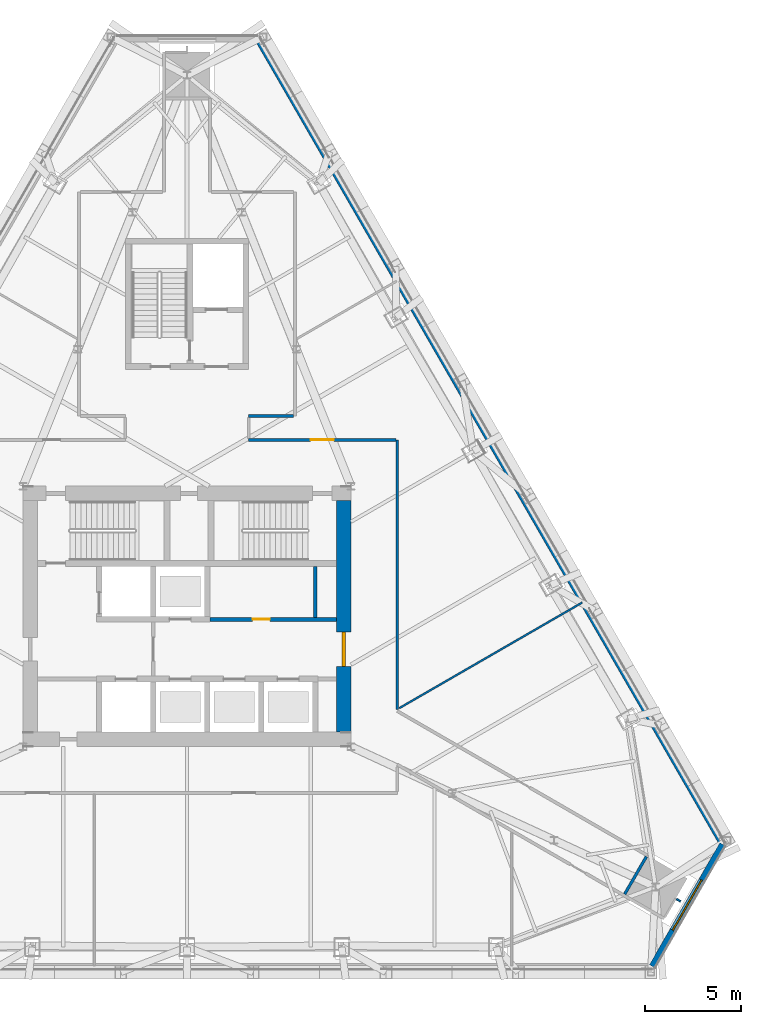
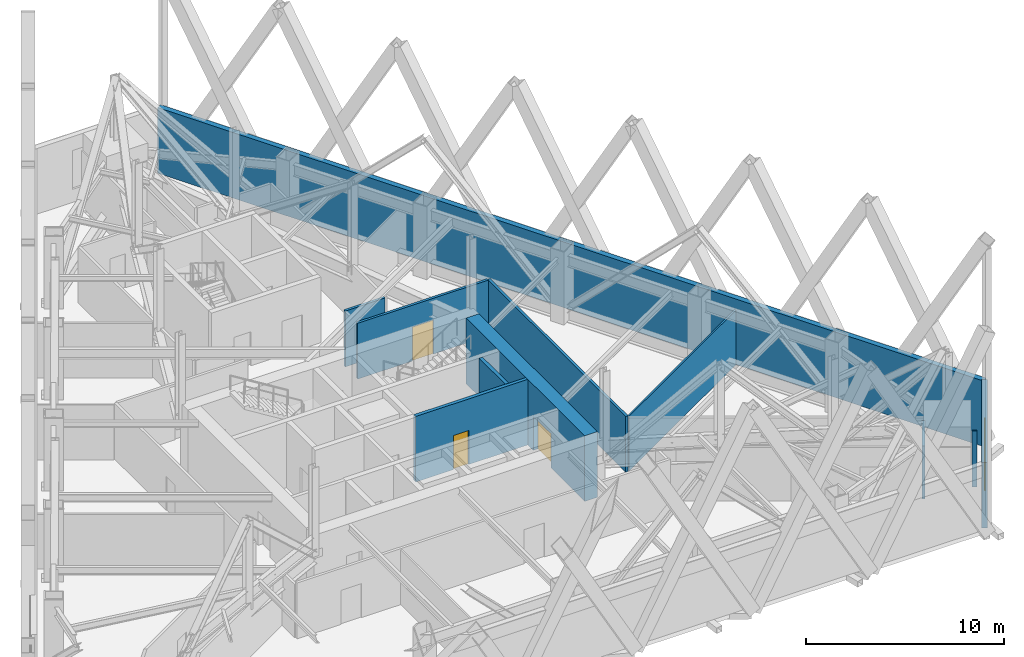
# One storey, part 9 of 16: 11 walls, 3 doors, 1 window, 4 openings.
"""IFC4 building model written with IfcOpenShell, lengths in metres."""

from ifc_helpers import new_model, si_unit, direction, frame, frame_2d, origin, place, context, subcontext, project, spatial, rectangle, extrude, material, layer, layer_set, type_object, element, fill, save


model = new_model("IFC4")

# Units and contexts
model_context = context("Model", 3, precision=1e-05, world=origin(), true_north=direction((0.0, 1.0)))
body_context = subcontext(model_context, "Body", "Model", "MODEL_VIEW")
ifc_project = project(units=[si_unit("LENGTHUNIT", "METRE"), si_unit("AREAUNIT", "SQUARE_METRE"), si_unit("VOLUMEUNIT", "CUBIC_METRE"), si_unit("PLANEANGLEUNIT", "RADIAN"), si_unit("MASSUNIT", "GRAM", prefix="KILO")], contexts=[model_context])

# Site, building, storey
site_placement = place(None, origin())
site = spatial("IfcSite", under=ifc_project, at=site_placement, CompositionType="ELEMENT")
building_placement = place(site_placement, origin())
building = spatial("IfcBuilding", under=site, at=building_placement, Name="Firuza Gate Tower and Library", CompositionType="ELEMENT")
storey_placement = place(building_placement, frame((0.0, 0.0, 247.60009765625)))
storey = spatial("IfcBuildingStorey", under=building, at=storey_placement, Name="L58", CompositionType="ELEMENT", Elevation=247.60009765625)

# Wall, opening, door
ifc_material_1 = material(Name="Plasterboard on steel studs", Category="steel")
ifc_layer_1 = layer(ifc_material_1, 0.199951171875)
ifc_layer_set_1 = layer_set([ifc_layer_1], Name="Core partition 200 EI 120")
wall_type_1 = type_object("IfcWallType", Name="Core partition 200 EI 120", PredefinedType="PARTITIONING", material=ifc_layer_set_1)
wall_1_placement = place(storey_placement, frame((76.199951171875, 74.85009765625, 0.0), z_axis=(0.0, 0.0, 1.0), x_axis=(1.0, 0.0, 0.0)))
wall_1 = element("IfcWall", 1, at=wall_1_placement, inside=storey, type_object=wall_type_1, Name="Core partition L58 3", PredefinedType="PARTITIONING", context=body_context, shape_type="SweptSolid", body=[
    extrude(rectangle(XDim=6.550048828125, YDim=0.199951171875, at=frame_2d((3.27490234375, 0.0))), origin(), (0.0, 0.0, 1.0), 4.0498046875),
])
opening_1_placement = place(wall_1_placement, frame((2.199951171875, 0.0, 0.0)))
opening_1 = element("IfcOpeningElement", 2, at=opening_1_placement, cuts=wall_1, Name="Opening L58-K18", PredefinedType="OPENING", context=body_context, shape_type="SweptSolid", body=[
    extrude(rectangle(XDim=0.89990234375, YDim=2.10009765625, at=frame_2d((0.449951171875, 1.050048828125))), frame((0.0, 0.10986328125, 0.0), z_axis=(0.0, -1.0, 0.0), x_axis=(1.0, 0.0, 0.0)), (0.0, 0.0, 1.0), 0.219970703125),
])
ifc_material_2 = material(Name="Steel", Category="steel")
door_type_1 = type_object("IfcDoorType", Name="Fire door 900x2100 FD30S", OperationType="NOTDEFINED", PredefinedType="DOOR", material=ifc_material_2)
door_1_placement = place(opening_1_placement, origin())
door_1 = element("IfcDoor", 3, at=door_1_placement, inside=storey, type_object=door_type_1, Name="Door L58-K18", OperationType="SINGLE_SWING_LEFT", OverallHeight=2.10009765625, OverallWidth=0.89990234375, PredefinedType="DOOR", context=body_context, shape_type="SweptSolid", body=[
    extrude(rectangle(XDim=0.89990234375, YDim=2.10009765625, at=frame_2d((0.449951171875, 1.050048828125))), frame((0.0, 0.02490234375, 0.0), z_axis=(0.0, -1.0, 0.0), x_axis=(1.0, 0.0, 0.0)), (0.0, 0.0, 1.0), 0.050048828125),
])
fill(opening_1, door_1)

# Wall
wall_2_placement = place(storey_placement, frame((81.64990234375, 74.949951171875, 0.0), z_axis=(0.0, 0.0, 1.0), x_axis=(0.0, 1.0, 0.0)))
element("IfcWall", 4, at=wall_2_placement, inside=storey, type_object=wall_type_1, Name="Core partition L58 5", PredefinedType="PARTITIONING", context=body_context, shape_type="SweptSolid", body=[
    extrude(rectangle(XDim=2.650146484375, YDim=0.199951171875, at=frame_2d((1.3251953125, 0.0))), origin(), (0.0, 0.0, 1.0), 4.0498046875),
])

# Wall, opening, door
ifc_material_3 = material(Name="Concrete C60/75", Category="concrete")
ifc_layer_2 = layer(ifc_material_3, 0.75)
ifc_layer_set_2 = layer_set([ifc_layer_2], Name="Core wall 750 C60/75")
wall_type_2 = type_object("IfcWallType", Name="Core wall 750 C60/75", PredefinedType="SHEAR", material=ifc_layer_set_2)
wall_3_placement = place(storey_placement, frame((83.125, 69.0, 0.0), z_axis=(0.0, 0.0, 1.0), x_axis=(0.0, 1.0, 0.0)))
wall_3 = element("IfcWall", 5, at=wall_3_placement, inside=storey, type_object=wall_type_2, Name="Core wall L58 4", PredefinedType="SHEAR", context=body_context, shape_type="SweptSolid", body=[
    extrude(rectangle(XDim=12.0, YDim=0.75, at=frame_2d((6.0, 0.0))), origin(), (0.0, 0.0, 1.0), 4.0498046875),
])
opening_2_placement = place(wall_3_placement, frame((3.39990234375, 0.0, 0.0)))
opening_2 = element("IfcOpeningElement", 6, at=opening_2_placement, cuts=wall_3, Name="Opening L58-K16", PredefinedType="OPENING", context=body_context, shape_type="SweptSolid", body=[
    extrude(rectangle(XDim=1.800048828125, YDim=2.10009765625, at=frame_2d((0.89990234375, 1.050048828125))), frame((0.0, 0.385009765625, 0.0), z_axis=(0.0, -1.0, 0.0), x_axis=(1.0, 0.0, 0.0)), (0.0, 0.0, 1.0), 0.77001953125),
])
ifc_material_4 = material(Name="Steel", Category="steel")
door_type_2 = type_object("IfcDoorType", Name="Fire door 1800x2100 FD30S", OperationType="NOTDEFINED", PredefinedType="DOOR", material=ifc_material_4)
door_2_placement = place(opening_2_placement, origin())
door_2 = element("IfcDoor", 7, at=door_2_placement, inside=storey, type_object=door_type_2, Name="Door L58-K16", OperationType="SINGLE_SWING_LEFT", OverallHeight=2.10009765625, OverallWidth=1.800048828125, PredefinedType="DOOR", context=body_context, shape_type="SweptSolid", body=[
    extrude(rectangle(XDim=1.800048828125, YDim=2.10009765625, at=frame_2d((0.89990234375, 1.050048828125))), frame((0.0, 0.094970703125, 0.0), z_axis=(0.0, -1.0, 0.0), x_axis=(1.0, 0.0, 0.0)), (0.0, 0.0, 1.0), 0.18994140625),
])
fill(opening_2, door_2)

ifc_material_5 = material(Name="Gypsum board partition")
ifc_layer_3 = layer(ifc_material_5, 0.14990234375)
ifc_layer_set_3 = layer_set([ifc_layer_3], Name="Corridor wall 150 double board on steel studs")
wall_type_3 = type_object("IfcWallType", Name="Corridor wall 150 double board on steel studs", PredefinedType="PARTITIONING", material=ifc_layer_set_3)
wall_4_placement = place(storey_placement, frame((85.824462890625, 84.14990234375, 0.0), z_axis=(0.0, 0.0, 1.0), x_axis=(-1.0, 0.0, 0.0)))
wall_4 = element("IfcWall", 8, at=wall_4_placement, inside=storey, type_object=wall_type_3, Name="f:L58:w002", PredefinedType="PARTITIONING", context=body_context, shape_type="SweptSolid", body=[
    extrude(rectangle(XDim=7.62451171875, YDim=0.14990234375, at=frame_2d((3.812255859375, 0.0))), origin(), (0.0, 0.0, 1.0), 3.447021484375),
])
opening_3_placement = place(wall_4_placement, frame((3.212158203125, 0.0, 0.0)))
opening_3 = element("IfcOpeningElement", 9, at=opening_3_placement, cuts=wall_4, Name="Opening L58-04", PredefinedType="OPENING", context=body_context, shape_type="SweptSolid", body=[
    extrude(rectangle(XDim=1.199951171875, YDim=2.10009765625, at=frame_2d((0.60009765625, 1.050048828125))), frame((0.0, 0.0849609375, 0.0), z_axis=(0.0, -1.0, 0.0), x_axis=(1.0, 0.0, 0.0)), (0.0, 0.0, 1.0), 0.169921875),
])
ifc_material_6 = material(Name="Steel door and timber leaf", Category="steel")
door_type_3 = type_object("IfcDoorType", Name="Fire door 1200 x 2100 steel frame, double leaf", OperationType="NOTDEFINED", PredefinedType="DOOR", material=ifc_material_6)
door_3_placement = place(opening_3_placement, origin())
door_3 = element("IfcDoor", 10, at=door_3_placement, inside=storey, type_object=door_type_3, Name="f:L58:d004", OperationType="DOUBLE_DOOR_SINGLE_SWING", OverallHeight=2.10009765625, OverallWidth=1.199951171875, PredefinedType="DOOR", context=body_context, shape_type="SweptSolid", body=[
    extrude(rectangle(XDim=1.199951171875, YDim=2.10009765625, at=frame_2d((0.60009765625, 1.050048828125))), frame((0.0, 0.02490234375, 0.0), z_axis=(0.0, -1.0, 0.0), x_axis=(1.0, 0.0, 0.0)), (0.0, 0.0, 1.0), 0.050048828125),
])
fill(opening_3, door_3)

# Walls
wall_5_placement = place(storey_placement, frame((78.199951171875, 85.39990234375, 0.0), z_axis=(0.0, 0.0, 1.0), x_axis=(1.0, 0.0, 0.0)))
element("IfcWall", 11, at=wall_5_placement, inside=storey, type_object=wall_type_3, Name="f:L58:w004", PredefinedType="PARTITIONING", context=body_context, shape_type="SweptSolid", body=[
    extrude(rectangle(XDim=2.324462890625, YDim=0.14990234375, at=frame_2d((1.162109375, 0.0))), origin(), (0.0, 0.0, 1.0), 3.447021484375),
])
wall_6_placement = place(storey_placement, frame((97.689697265625, 60.6015625, 0.0), z_axis=(0.0, 0.0, 1.0), x_axis=(0.499991822116, 0.866030125237, 0.0)))
element("IfcWall", 12, at=wall_6_placement, inside=storey, type_object=wall_type_3, Name="f:L58:w015", PredefinedType="PARTITIONING", context=body_context, shape_type="SweptSolid", body=[
    extrude(rectangle(XDim=2.2490234375, YDim=0.14990234375, at=frame_2d((1.12451171875, 0.0))), origin(), (0.0, 0.0, 1.0), 3.296875),
])
wall_7_placement = place(storey_placement, frame((85.89990234375, 70.17919921875, 0.0), z_axis=(0.0, 0.0, 1.0), x_axis=(0.0, 1.0, 0.0)))
element("IfcWall", 13, at=wall_7_placement, inside=storey, type_object=wall_type_3, Name="f:L58:w018", PredefinedType="PARTITIONING", context=body_context, shape_type="SweptSolid", body=[
    extrude(rectangle(XDim=13.97021484375, YDim=0.14990234375, at=frame_2d((6.985107421875, 0.0))), origin(), (0.0, 0.0, 1.0), 3.449951171875),
])
ifc_material_7 = material(Name="Gypsum board partition")
ifc_layer_4 = layer(ifc_material_7, 0.10009765625)
ifc_layer_set_4 = layer_set([ifc_layer_4], Name="Partition 100 gypsum board on steel studs")
wall_type_4 = type_object("IfcWallType", Name="Partition 100 gypsum board on steel studs", PredefinedType="PARTITIONING", material=ifc_layer_set_4)
wall_8_placement = place(storey_placement, frame((86.0009765625, 70.243408203125, 0.0), z_axis=(0.0, 0.0, 1.0), x_axis=(0.866028949349, 0.499993858851, 0.0)))
element("IfcWall", 14, at=wall_8_placement, inside=storey, type_object=wall_type_4, Name="f:L58:w009", PredefinedType="PARTITIONING", context=body_context, shape_type="SweptSolid", body=[
    extrude(rectangle(XDim=10.953369140625, YDim=0.10009765625, at=frame_2d((5.4765625, 0.0))), origin(), (0.0, 0.0, 1.0), 3.371826171875),
])
wall_9_placement = place(storey_placement, frame((100.59033203125, 60.2255859375, 0.0), z_axis=(0.0, 0.0, 1.0), x_axis=(-0.866006330792, 0.500033033937, 0.0)))
element("IfcWall", 15, at=wall_9_placement, inside=storey, type_object=wall_type_4, Name="f:L58:w034", PredefinedType="PARTITIONING", context=body_context, shape_type="SweptSolid", body=[
    extrude(rectangle(XDim=0.24951171875, YDim=0.10009765625, at=frame_2d((0.124755859375, 0.0))), origin(), (0.0, 0.0, 1.0), 3.449951171875),
])

# Wall, opening, window
ifc_material_8 = material(Name="Concrete C40/50", Category="concrete")
ifc_layer_5 = layer(ifc_material_8, 0.300048828125)
ifc_layer_set_5 = layer_set([ifc_layer_5], Name="Plant louvre wall 300")
wall_type_5 = type_object("IfcWallType", Name="Plant louvre wall 300", PredefinedType="SOLIDWALL", material=ifc_layer_set_5)
wall_10_placement = place(storey_placement, frame((99.10205078125, 56.867919921875, 0.0), z_axis=(0.0, 0.0, 1.0), x_axis=(0.500000231294, 0.866025270247, 0.0)))
wall_10 = element("IfcWall", 16, at=wall_10_placement, inside=storey, type_object=wall_type_5, Name="Plant louvre wall 2", PredefinedType="SOLIDWALL", context=body_context, shape_type="SweptSolid", body=[
    extrude(rectangle(XDim=7.3037109375, YDim=0.300048828125, at=frame_2d((3.65185546875, 0.0))), origin(), (0.0, 0.0, 1.0), 4.0498046875),
])
opening_4_placement = place(wall_10_placement, frame((2.15185546875, 0.0, 0.800048828125)))
opening_4 = element("IfcOpeningElement", 17, at=opening_4_placement, cuts=wall_10, Name="Opening WD3-001", PredefinedType="OPENING", context=body_context, shape_type="SweptSolid", body=[
    extrude(rectangle(XDim=3.0, YDim=2.39990234375, at=frame_2d((1.5, 1.199951171875))), frame((0.0, 0.16015625, 0.0), z_axis=(0.0, -1.0, 0.0), x_axis=(1.0, 0.0, 0.0)), (0.0, 0.0, 1.0), 0.320068359375),
])
ifc_material_9 = material(Name="Aluminium 6063-T6", Category="aluminium")
window_type = type_object("IfcWindowType", Name="Plant louvre 3000x2400", PartitioningType="SINGLE_PANEL", PredefinedType="WINDOW", material=ifc_material_9)
window_placement = place(opening_4_placement, origin())
window = element("IfcWindow", 18, at=window_placement, inside=storey, type_object=window_type, Name="e:pwall:L58:1/L0", OverallHeight=2.39990234375, OverallWidth=3.0, PartitioningType="SINGLE_PANEL", PredefinedType="WINDOW", context=body_context, shape_type="SweptSolid", body=[
    extrude(rectangle(XDim=3.0, YDim=2.39990234375, at=frame_2d((1.5, 1.199951171875))), frame((0.0, 0.030029296875, 0.0), z_axis=(0.0, -1.0, 0.0), x_axis=(1.0, 0.0, 0.0)), (0.0, 0.0, 1.0), 0.06005859375),
])
fill(opening_4, window)

# Wall
wall_11_placement = place(storey_placement, frame((102.75390625, 63.193115234375, 0.0), z_axis=(0.0, 0.0, 1.0), x_axis=(-0.500001140025, 0.866024745589, 0.0)))
element("IfcWall", 19, at=wall_11_placement, inside=storey, type_object=wall_type_5, Name="Plant louvre wall 3", PredefinedType="SOLIDWALL", context=body_context, shape_type="SweptSolid", body=[
    extrude(rectangle(XDim=48.2041015625, YDim=0.300048828125, at=frame_2d((24.10205078125, 0.0))), origin(), (0.0, 0.0, 1.0), 4.0498046875),
])

save(model, "model.ifc")
